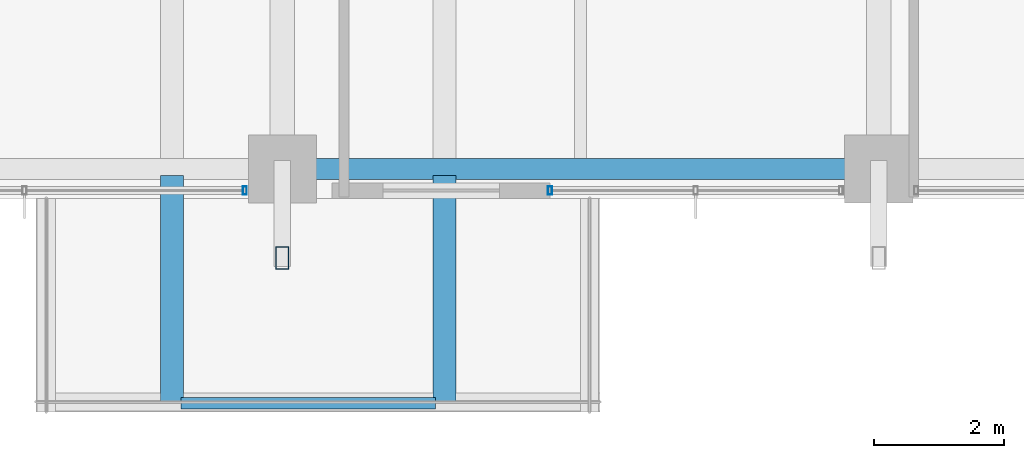
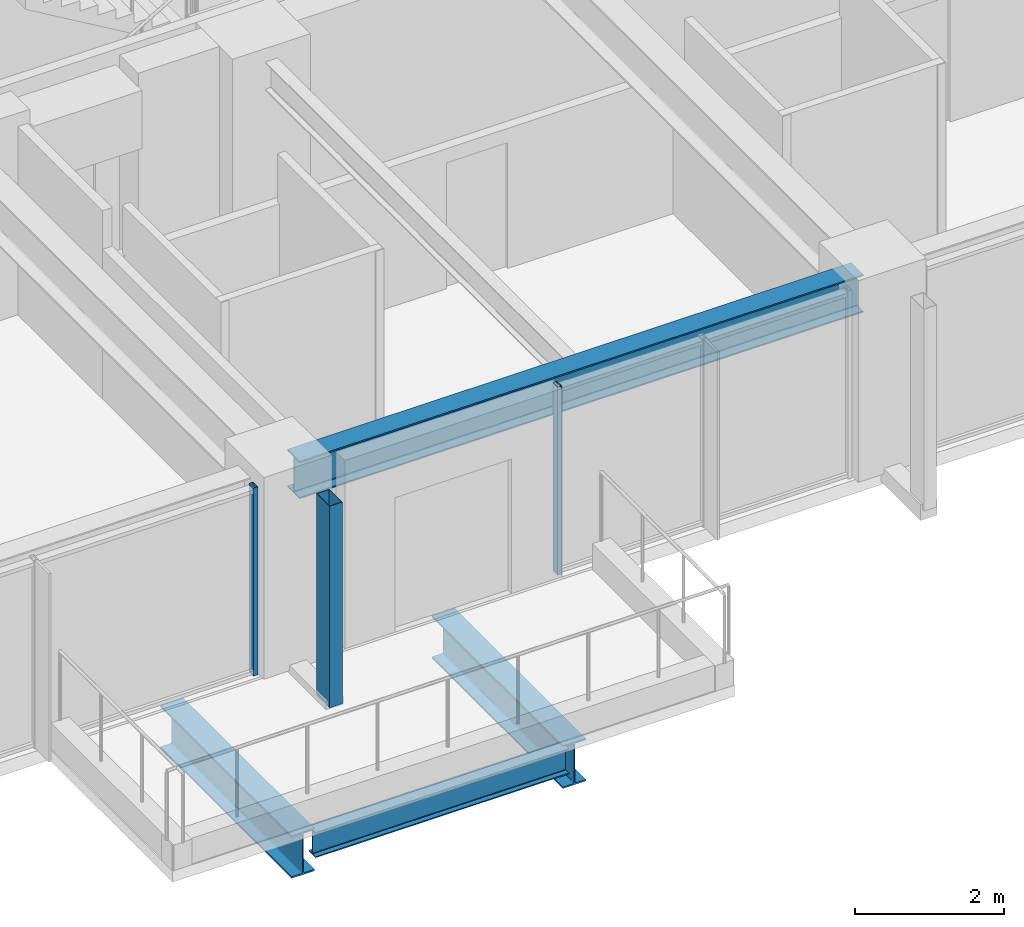
# One storey, part 4 of 38: 4 beams, 3 members, 2 elements without a shape of their own.
"""IFC4 building model written with IfcOpenShell, lengths in metres."""

from ifc_helpers import new_model, si_unit, direction, frame, origin, origin_2d, place, context, subcontext, project, spatial, hollow_rectangle, i_section, extrude, material, material_profile, profile_set, type_object, element, aggregate, save


model = new_model("IFC4")

# Units and contexts
model_context = context("Model", 3, precision=1e-05, world=origin(), true_north=direction((0.0, 1.0)))
body_context = subcontext(model_context, "Body", "Model", "MODEL_VIEW")
ifc_project = project(units=[si_unit("LENGTHUNIT", "METRE"), si_unit("AREAUNIT", "SQUARE_METRE"), si_unit("VOLUMEUNIT", "CUBIC_METRE"), si_unit("PLANEANGLEUNIT", "RADIAN"), si_unit("MASSUNIT", "GRAM", prefix="KILO")], contexts=[model_context])

# Site, building, storey
site_placement = place(None, origin())
site = spatial("IfcSite", under=ifc_project, at=site_placement, CompositionType="ELEMENT")
building_placement = place(site_placement, origin())
building = spatial("IfcBuilding", under=site, at=building_placement, Name="Kolvaren Belvedere", CompositionType="ELEMENT")
storey_placement = place(building_placement, frame((0.0, 0.0, 121.699951171875)))
storey = spatial("IfcBuildingStorey", under=building, at=storey_placement, Name="L35", CompositionType="ELEMENT", Elevation=121.699951171875)

# Beams
ifc_material_1 = material(Name="Structural steel ASTM A992 Grade 50", Category="steel")
ifc_material_profile_1 = material_profile(ifc_material_1, i_section(OverallWidth=0.35498046875, OverallDepth=0.696044921875, WebThickness=0.015380859375, FlangeThickness=0.02490234375, FilletRadius=0.02197265625, at=origin_2d()), Name="W27X146")
ifc_profile_set_1 = profile_set([ifc_material_profile_1], Name="Structural steel ASTM A992 Grade 50")
beam_type_1 = type_object("IfcBeamType", Name="BM-CANT-BAL", PredefinedType="BEAM", material=ifc_profile_set_1)
for number, where, z_axis, x_axis, name in (
    (1, (-6.300048828125, -18.7451171875, -0.56787109375), (0.0, -1.0, 0.0), (1.0, 0.0, 0.0), "L35 Planted Balcony Cantilever SPIRAL-05-S-1"),
    (2, (-2.10009765625, -18.7451171875, -0.56787109375), (0.0, -1.0, 0.0), (1.0, 0.0, 0.0), "L35 Planted Balcony Cantilever SPIRAL-05-S-2"),
):
    element("IfcBeam", number, at=place(storey_placement, frame(where, z_axis=z_axis, x_axis=x_axis)), inside=storey, type_object=beam_type_1, Name=name, PredefinedType="BEAM", context=body_context, shape_type="SweptSolid", body=[
        extrude(i_section(OverallWidth=0.35498046875, OverallDepth=0.696044921875, WebThickness=0.015380859375, FlangeThickness=0.02490234375, FilletRadius=0.02197265625, at=origin_2d()), origin(), (0.0, 0.0, 1.0), 3.514892578125),
    ])
ifc_material_2 = material(Name="Structural steel ASTM A992 Grade 50", Category="steel")
ifc_material_profile_2 = material_profile(ifc_material_2, i_section(OverallWidth=0.180908203125, OverallDepth=0.4169921875, WebThickness=0.010986328125, FlangeThickness=0.018310546875, FilletRadius=0.013916015625, at=origin_2d()), Name="W16X57")
ifc_profile_set_2 = profile_set([ifc_material_profile_2], Name="Structural steel ASTM A992 Grade 50")
beam_type_2 = type_object("IfcBeamType", Name="BM-EDGE-W16X57", PredefinedType="BEAM", material=ifc_profile_set_2)
beam_1_placement = place(storey_placement, frame((-6.159912109375, -22.260009765625, -0.428466796875), z_axis=(1.0, 0.0, 0.0), x_axis=(0.0, 1.0, 0.0)))
element("IfcBeam", 3, at=beam_1_placement, inside=storey, type_object=beam_type_2, Name="L35 Balcony Tip Header Beam SPIRAL-05-S", PredefinedType="BEAM", context=body_context, shape_type="SweptSolid", body=[
    extrude(i_section(OverallWidth=0.180908203125, OverallDepth=0.4169921875, WebThickness=0.010986328125, FlangeThickness=0.018310546875, FilletRadius=0.013916015625, at=origin_2d()), origin(), (0.0, 0.0, 1.0), 3.919921875),
])
ifc_material_3 = material(Name="Structural steel ASTM A992 Grade 50", Category="steel")
ifc_material_profile_3 = material_profile(ifc_material_3, i_section(OverallWidth=0.324951171875, OverallDepth=0.615966796875, WebThickness=0.013916015625, FlangeThickness=0.021484375, FilletRadius=0.02001953125, at=origin_2d()), Name="W24X117")
ifc_profile_set_3 = profile_set([ifc_material_profile_3], Name="Structural steel ASTM A992 Grade 50")
beam_type_3 = type_object("IfcBeamType", Name="BM-SPAN-W24X117", PredefinedType="SPANDREL", material=ifc_profile_set_3)
beam_2_placement = place(storey_placement, frame((-4.36376953125, -18.64990234375, 2.77197265625), z_axis=(1.0, 0.0, 0.0), x_axis=(0.0, 1.0, 0.0)))
element("IfcBeam", 4, at=beam_2_placement, inside=storey, type_object=beam_type_3, Name="L35 Perimeter Spandrel S2-S3", PredefinedType="SPANDREL", context=body_context, shape_type="SweptSolid", body=[
    extrude(i_section(OverallWidth=0.324951171875, OverallDepth=0.615966796875, WebThickness=0.013916015625, FlangeThickness=0.021484375, FilletRadius=0.02001953125, at=origin_2d()), origin(), (0.0, 0.0, 1.0), 8.7275390625),
])

# Curtain wall, member
ifc_material_4 = material(Name="Anodised pale-metal aluminium AA 6063-T6", Category="aluminium")
curtain_wall_type = type_object("IfcCurtainWallType", Name="CW-Z3-WAIST", PredefinedType="NOTDEFINED", material=ifc_material_4)
curtain_wall_1_placement = place(storey_placement, origin())
curtain_wall_1 = element("IfcCurtainWall", 5, at=curtain_wall_1_placement, inside=storey, type_object=curtain_wall_type, Name="L35 Unitised Curtain Wall FCW-L35-S1-B2", PredefinedType="NOTDEFINED")
ifc_material_5 = material(Name="Anodised pale-metal aluminium AA 6063-T6", Category="aluminium")
ifc_material_profile_4 = material_profile(ifc_material_5, hollow_rectangle(XDim=0.06494140625, YDim=0.1298828125, WallThickness=0.00390625, at=origin_2d()), Name="ALU-MUL-130X65")
ifc_profile_set_4 = profile_set([ifc_material_profile_4], Name="Anodised pale-metal aluminium AA 6063-T6")
member_type_1 = type_object("IfcMemberType", Name="CW-MUL-130", PredefinedType="MULLION", material=ifc_profile_set_4)
member_1_placement = place(storey_placement, frame((-0.469970703125, -18.97998046875, 0.0), z_axis=(0.0, 0.0, 1.0), x_axis=(1.0, 0.0, 0.0)))
member_1 = element("IfcMember", 6, at=member_1_placement, type_object=member_type_1, Name="FCW-L35-S1-B2 Unitised Mullion 3", PredefinedType="MULLION", context=body_context, shape_type="SweptSolid", body=[
    extrude(hollow_rectangle(XDim=0.06494140625, YDim=0.1298828125, WallThickness=0.00390625, at=origin_2d()), origin(), (0.0, 0.0, 1.0), 3.080078125),
])
aggregate(curtain_wall_1, [member_1])

curtain_wall_2_placement = place(storey_placement, origin())
curtain_wall_2 = element("IfcCurtainWall", 7, at=curtain_wall_2_placement, inside=storey, type_object=curtain_wall_type, Name="L35 Unitised Curtain Wall FCW-L35-S2", PredefinedType="NOTDEFINED")
member_2_placement = place(storey_placement, frame((-5.177490234375, -18.97998046875, 0.0), z_axis=(0.0, 0.0, 1.0), x_axis=(1.0, 0.0, 0.0)))
member_2 = element("IfcMember", 8, at=member_2_placement, type_object=member_type_1, Name="FCW-L35-S2 Unitised Mullion 1", PredefinedType="MULLION", context=body_context, shape_type="SweptSolid", body=[
    extrude(hollow_rectangle(XDim=0.06494140625, YDim=0.1298828125, WallThickness=0.00390625, at=origin_2d()), origin(), (0.0, 0.0, 1.0), 3.080078125),
])
aggregate(curtain_wall_2, [member_2])

# Member
ifc_material_6 = material(Name="Anodised pale-metal aluminium AA 6063-T6", Category="aluminium")
ifc_material_profile_5 = material_profile(ifc_material_6, hollow_rectangle(XDim=0.199951171875, YDim=0.35009765625, WallThickness=0.007568359375, at=origin_2d()), Name="ALU-PF-350X200")
ifc_profile_set_5 = profile_set([ifc_material_profile_5], Name="Anodised pale-metal aluminium AA 6063-T6")
member_type_2 = type_object("IfcMemberType", Name="PF-FRAME-350", PredefinedType="USERDEFINED", material=ifc_profile_set_5)
member_3_placement = place(storey_placement, frame((-4.60009765625, -20.02001953125, 0.0), z_axis=(0.0, 0.0, 1.0), x_axis=(1.0, 0.0, 0.0)))
element("IfcMember", 9, at=member_3_placement, inside=storey, type_object=member_type_2, Name="L35 Outboard Picture-Frame Vertical S2", ObjectType="PICTURE FRAME FIN", PredefinedType="USERDEFINED", context=body_context, shape_type="SweptSolid", body=[
    extrude(hollow_rectangle(XDim=0.199951171875, YDim=0.35009765625, WallThickness=0.007568359375, at=origin_2d()), origin(), (0.0, 0.0, 1.0), 3.300048828125),
])

save(model, "model.ifc")
